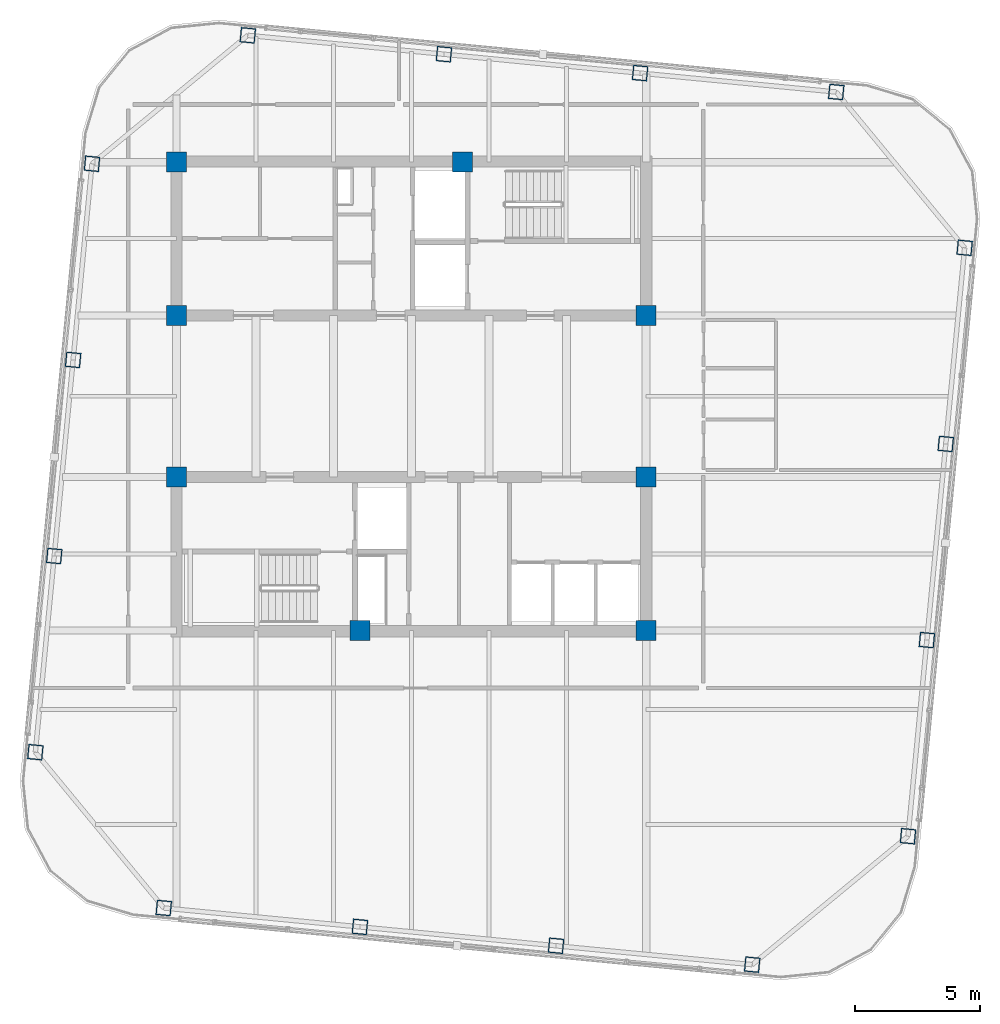
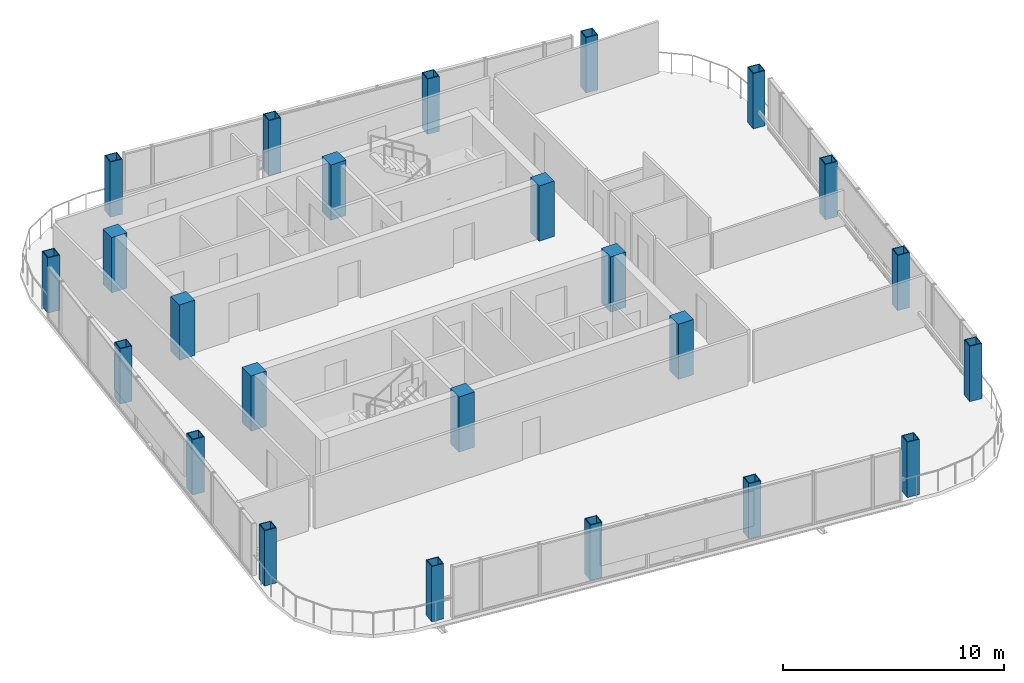
# One storey, part 1 of 26: 24 columns.
"""IFC4 building model written with IfcOpenShell, lengths in metres."""

import ifcopenshell
import ifcopenshell.guid

model = None  # the IFC model being written
_history = None  # IfcOwnerHistory: only IFC2X3 demands one
_inside = {}  # id of a spatial element -> (the spatial element, [elements in it])
_under = {}  # id of a project, library or spatial element -> (it, [spatial elements below it])
_declared = {}  # id of a project -> (the project, [libraries it declares])
_typed = {}  # id of a type object -> (the type object, [elements of that type])
_made_of = {}  # id of a material, layer set ... -> (it, [elements and type objects made of it])


def new_model(schema):
    """Start an empty IFC model of exactly this schema.

    Asked for "IFC4X3", IfcOpenShell would pick the latest addendum, in which some entities
    have other attributes; the version numbers below select the first issue.
    IFC2X3 requires an IfcOwnerHistory on every rooted entity: one is made here for all.
    """
    global model, _history
    if schema == "IFC4X3":
        model = ifcopenshell.file(schema_version=(4, 3, 0, 0))
    else:
        model = ifcopenshell.file(schema=schema)
    _inside.clear()
    _under.clear()
    _declared.clear()
    _typed.clear()
    _made_of.clear()
    _history = None
    if model.schema == "IFC2X3":
        org = make("IfcOrganization", Name="unknown")
        user = make(
            "IfcPersonAndOrganization",
            ThePerson=make("IfcPerson", FamilyName="unknown"),
            TheOrganization=org,
        )
        app = make(
            "IfcApplication",
            ApplicationDeveloper=org,
            Version="unknown",
            ApplicationFullName="unknown",
            ApplicationIdentifier="unknown",
        )
        _history = make(
            "IfcOwnerHistory",
            OwningUser=user,
            OwningApplication=app,
            ChangeAction="ADDED",
            CreationDate=0,
        )
    return model


def make(cls, **values):
    """One entity of the class cls with the attributes given. An attribute that is None is left unset."""
    return model.create_entity(
        cls, **{name: value for name, value in values.items() if value is not None}
    )


def rooted(cls, **values):
    """An entity with a GlobalId (a new one), such as an element, a storey or a relation."""
    return make(cls, GlobalId=ifcopenshell.guid.new(), OwnerHistory=_history, **values)


def si_unit(unit_type, name, prefix=None):
    """IfcSIUnit, for example si_unit("LENGTHUNIT", "METRE", prefix="MILLI")."""
    return make("IfcSIUnit", UnitType=unit_type, Prefix=prefix, Name=name)


def assignment(units):
    """IfcUnitAssignment: the units of a project."""
    return None if units is None else make("IfcUnitAssignment", Units=units)


def point(xyz):
    """IfcCartesianPoint."""
    return None if xyz is None else make("IfcCartesianPoint", Coordinates=xyz)


def direction(xyz):
    """IfcDirection."""
    return None if xyz is None else make("IfcDirection", DirectionRatios=xyz)


def frame(location, z_axis=None, x_axis=None):
    """IfcAxis2Placement3D, a coordinate frame: its origin and axes. An axis left out is left unset."""
    return make(
        "IfcAxis2Placement3D",
        Location=point(location),
        Axis=direction(z_axis),
        RefDirection=direction(x_axis),
    )


def frame_2d(location, x_axis=None):
    """IfcAxis2Placement2D, a coordinate frame in the plane: its origin and x axis."""
    return make(
        "IfcAxis2Placement2D", Location=point(location), RefDirection=direction(x_axis)
    )


def origin():
    """The frame at (0, 0, 0) with its axes left unset."""
    return frame((0.0, 0.0, 0.0))


def origin_2d():
    """The frame at (0, 0) in the plane with its x axis left unset."""
    return frame_2d((0.0, 0.0))


def place(relative_to, where):
    """IfcLocalPlacement: puts the frame where relative to a parent placement (None: the world)."""
    return make(
        "IfcLocalPlacement", PlacementRelTo=relative_to, RelativePlacement=where
    )


def context(
    kind, dimensions, precision=None, world=None, true_north=None, identifier=None
):
    """IfcGeometricRepresentationContext, for example the 3D "Model" context."""
    return make(
        "IfcGeometricRepresentationContext",
        ContextIdentifier=identifier,
        ContextType=kind,
        CoordinateSpaceDimension=dimensions,
        Precision=precision,
        WorldCoordinateSystem=world,
        TrueNorth=true_north,
    )


def subcontext(parent, identifier, kind, view, scale=None):
    """IfcGeometricRepresentationSubContext, for example "Body" below "Model"."""
    return make(
        "IfcGeometricRepresentationSubContext",
        ContextIdentifier=identifier,
        ContextType=kind,
        ParentContext=parent,
        TargetScale=scale,
        TargetView=view,
    )


def project(units=None, contexts=None):
    """IfcProject with its units and contexts."""
    return rooted(
        "IfcProject",
        Name="project",
        RepresentationContexts=contexts,
        UnitsInContext=assignment(units),
    )


def spatial(cls, under=None, at=None, **own):
    """A site, building, storey or space (cls), placed at a placement, below another one or the project."""
    s = rooted(cls, ObjectPlacement=at, **own)
    if under is not None:
        _under.setdefault(under.id(), (under, []))[1].append(s)
    return s


def profile(cls, at=None, kind="AREA", **sizes):
    """A parametric profile (cls). Its sizes go by their IFC names, for example OverallWidth=200.0."""
    return make(cls, ProfileType=kind, Position=at, **sizes)


def rectangle(**sizes):
    """IfcRectangleProfileDef."""
    return profile("IfcRectangleProfileDef", **sizes)


def hollow_rectangle(**sizes):
    """IfcRectangleHollowProfileDef."""
    return profile("IfcRectangleHollowProfileDef", **sizes)


def extrude(swept, where, along, depth):
    """IfcExtrudedAreaSolid: the profile swept, set in the frame where, extruded along a direction by depth."""
    return make(
        "IfcExtrudedAreaSolid",
        SweptArea=swept,
        Position=where,
        ExtrudedDirection=direction(along),
        Depth=depth,
    )


def shape(context_of_items, identifier, shape_type, items):
    """IfcShapeRepresentation: the items that make up one representation, for example the "Body"."""
    return make(
        "IfcShapeRepresentation",
        ContextOfItems=context_of_items,
        RepresentationIdentifier=identifier,
        RepresentationType=shape_type,
        Items=items,
    )


def material(Name=None, Category=None):
    """IfcMaterial."""
    return make("IfcMaterial", Name=Name, Category=Category)


def material_profile(
    of_material, cross_section, Name=None, Category=None, Priority=None
):
    """IfcMaterialProfile: a cross section and its material."""
    return make(
        "IfcMaterialProfile",
        Name=Name,
        Material=of_material,
        Profile=cross_section,
        Priority=Priority,
        Category=Category,
    )


def profile_set(profiles, Name=None, composite=None):
    """IfcMaterialProfileSet."""
    return make(
        "IfcMaterialProfileSet",
        Name=Name,
        MaterialProfiles=profiles,
        CompositeProfile=composite,
    )


def made_of(thing, what):
    """Note that an element or type object is made of a material, layer set ...; save() writes the relation."""
    if what is not None:
        _made_of.setdefault(what.id(), (what, []))[1].append(thing)
    return thing


def type_object(cls, material=None, **own):
    """A type object (cls), such as IfcWallType, which elements share."""
    return made_of(rooted(cls, **own), material)


def element(
    cls,
    number,
    at=None,
    inside=None,
    cuts=None,
    type_object=None,
    material=None,
    context=None,
    identifier="Body",
    shape_type=None,
    held_by="IfcProductDefinitionShape",
    body=None,
    shapes=None,
    **own,
):
    """One element of the class cls, such as IfcWall. Its Tag is "e" and its number.

    at: its placement. inside: the storey or other place that contains it. cuts: it is an
    opening in that element (IfcRelVoidsElement). A single representation is given by context,
    identifier, shape_type and body (its items); several are given by shapes. held_by: the class
    of the entity that holds the representations. save() writes the other relations.
    """
    e = rooted(cls, Tag="e%d" % number, ObjectPlacement=at, **own)
    if body is not None:
        shapes = [shape(context, identifier, shape_type, body)]
    if shapes is not None:
        e.Representation = make(held_by, Representations=shapes)
    if inside is not None:
        _inside.setdefault(inside.id(), (inside, []))[1].append(e)
    if cuts is not None:
        rooted(
            "IfcRelVoidsElement", RelatingBuildingElement=cuts, RelatedOpeningElement=e
        )
    if type_object is not None:
        _typed.setdefault(type_object.id(), (type_object, []))[1].append(e)
    return made_of(e, material)


def aggregate(whole, parts):
    """IfcRelAggregates: a whole, such as a stair, and the parts it consists of."""
    return rooted("IfcRelAggregates", RelatingObject=whole, RelatedObjects=parts)


def save(model, path):
    """Write the relations noted so far, then the file.

    IfcRelAggregates (storeys below a building ...), IfcRelContainedInSpatialStructure (elements
    in a storey), IfcRelDefinesByType, IfcRelAssociatesMaterial and IfcRelDeclares: one each for
    every whole, place, type object, material and project.
    """
    for whole, parts in _under.values():
        aggregate(whole, parts)
    for where, things in _inside.values():
        rooted(
            "IfcRelContainedInSpatialStructure",
            RelatedElements=things,
            RelatingStructure=where,
        )
    for kind, things in _typed.values():
        rooted("IfcRelDefinesByType", RelatedObjects=things, RelatingType=kind)
    for what, things in _made_of.values():
        rooted("IfcRelAssociatesMaterial", RelatedObjects=things, RelatingMaterial=what)
    for by, libraries in _declared.values():
        rooted("IfcRelDeclares", RelatingContext=by, RelatedDefinitions=libraries)
    model.write(path)


model = new_model("IFC4")

# Units and contexts
model_context = context("Model", 3, precision=1e-05, world=origin(), true_north=direction((0.0, 1.0)))
body_context = subcontext(model_context, "Body", "Model", "MODEL_VIEW")
ifc_project = project(units=[si_unit("LENGTHUNIT", "METRE"), si_unit("AREAUNIT", "SQUARE_METRE"), si_unit("VOLUMEUNIT", "CUBIC_METRE"), si_unit("PLANEANGLEUNIT", "RADIAN"), si_unit("MASSUNIT", "GRAM", prefix="KILO")], contexts=[model_context])

# Site, building, storey
site_placement = place(None, origin())
site = spatial("IfcSite", under=ifc_project, at=site_placement, CompositionType="ELEMENT")
building_placement = place(site_placement, origin())
building = spatial("IfcBuilding", under=site, at=building_placement, Name="Qhalaya Broadcast Tower", CompositionType="ELEMENT")
storey_placement = place(building_placement, frame((0.0, 0.0, 248.949951171875)))
storey = spatial("IfcBuildingStorey", under=building, at=storey_placement, Name="L73", CompositionType="ELEMENT", Elevation=248.949951171875)

# Columns
ifc_material_1 = material(Name="Concrete C50/60", Category="concrete")
ifc_material_profile_1 = material_profile(ifc_material_1, rectangle(XDim=0.800048828125, YDim=0.800048828125, at=origin_2d()), Name="RC-COL 800x800")
ifc_profile_set_1 = profile_set([ifc_material_profile_1], Name="Concrete C50/60")
column_type_1 = type_object("IfcColumnType", Name="RC Upper Column C10", PredefinedType="COLUMN", material=ifc_profile_set_1)
for number, where, z_axis, x_axis, name in (
    (1, (-9.375, 9.949951171875, 0.0), (0.0, 0.0, 1.0), (1.0, 0.0, 0.0), "L73 Column COL-CC1"),
    (2, (2.050048828125, 9.949951171875, 0.0), (0.0, 0.0, 1.0), (1.0, 0.0, 0.0), "L73 Column COL-CC2"),
    (3, (-9.375, 3.824951171875, 0.0), (0.0, 0.0, 1.0), (1.0, 0.0, 0.0), "L73 Column COL-CC3"),
    (4, (9.375, 3.824951171875, 0.0), (0.0, 0.0, 1.0), (1.0, 0.0, 0.0), "L73 Column COL-CC4"),
    (5, (-9.375, -2.625, 0.0), (0.0, 0.0, 1.0), (1.0, 0.0, 0.0), "L73 Column COL-CC5"),
    (6, (9.375, -2.625, 0.0), (0.0, 0.0, 1.0), (1.0, 0.0, 0.0), "L73 Column COL-CC6"),
    (7, (-2.050048828125, -8.75, 0.0), (0.0, 0.0, 1.0), (1.0, 0.0, 0.0), "L73 Column COL-CC7"),
    (8, (9.375, -8.75, 0.0), (0.0, 0.0, 1.0), (1.0, 0.0, 0.0), "L73 Column COL-CC8"),
):
    element("IfcColumn", number, at=place(storey_placement, frame(where, z_axis=z_axis, x_axis=x_axis)), inside=storey, type_object=column_type_1, Name=name, PredefinedType="COLUMN", context=body_context, shape_type="SweptSolid", body=[
        extrude(rectangle(XDim=0.800048828125, YDim=0.800048828125, at=origin_2d()), origin(), (0.0, 0.0, 1.0), 3.050048828125),
    ])
ifc_material_2 = material(Name="Structural Steel ASTM A572 Grade 50", Category="steel")
ifc_material_profile_2 = material_profile(ifc_material_2, hollow_rectangle(XDim=0.60009765625, YDim=0.60009765625, WallThickness=0.0400390625, at=origin_2d()), Name="BOX 600x600x40")
ifc_profile_set_2 = profile_set([ifc_material_profile_2], Name="Structural Steel ASTM A572 Grade 50")
column_type_2 = type_object("IfcColumnType", Name="Steel Box Column C05", PredefinedType="COLUMN", material=ifc_profile_set_2)
for number, where, z_axis, x_axis, name in (
    (9, (-9.883056640625, -19.82861328125, 0.0), (0.0, 0.0, 1.0), (0.995396198367, -0.09584575252, 0.0), "L73 Column COL-EX01"),
    (10, (-2.052490234375, -20.58251953125, 0.0), (0.0, 0.0, 1.0), (0.995396198367, -0.09584575252, 0.0), "L73 Column COL-EX02"),
    (11, (5.77783203125, -21.33642578125, 0.0), (0.0, 0.0, 1.0), (0.995396198367, -0.09584575252, 0.0), "L73 Column COL-EX03"),
    (12, (13.6083984375, -22.09033203125, 0.0), (0.0, 0.0, 1.0), (0.995396198367, -0.09584575252, 0.0), "L73 Column COL-EX04"),
    (13, (19.82861328125, -16.962890625, 0.0), (0.0, 0.0, 1.0), (0.09584575252, 0.995396198367, 0.0), "L73 Column COL-EX05"),
    (14, (20.58251953125, -9.132568359375, 0.0), (0.0, 0.0, 1.0), (0.09584575252, 0.995396198367, 0.0), "L73 Column COL-EX06"),
    (15, (21.33642578125, -1.302001953125, 0.0), (0.0, 0.0, 1.0), (0.09584575252, 0.995396198367, 0.0), "L73 Column COL-EX07"),
    (16, (22.09033203125, 6.5283203125, 0.0), (0.0, 0.0, 1.0), (0.09584575252, 0.995396198367, 0.0), "L73 Column COL-EX08"),
    (17, (16.962890625, 12.74853515625, 0.0), (0.0, 0.0, 1.0), (0.995396198367, -0.09584575252, 0.0), "L73 Column COL-EX09"),
    (18, (9.132568359375, 13.50244140625, 0.0), (0.0, 0.0, 1.0), (0.995396198367, -0.09584575252, 0.0), "L73 Column COL-EX10"),
    (19, (1.302001953125, 14.25634765625, 0.0), (0.0, 0.0, 1.0), (0.995396198367, -0.09584575252, 0.0), "L73 Column COL-EX11"),
    (20, (-6.5283203125, 15.010498046875, 0.0), (0.0, 0.0, 1.0), (0.995396198367, -0.09584575252, 0.0), "L73 Column COL-EX12"),
    (21, (-12.74853515625, 9.883056640625, 0.0), (0.0, 0.0, 1.0), (0.09584575252, 0.995396198367, 0.0), "L73 Column COL-EX13"),
    (22, (-13.50244140625, 2.052490234375, 0.0), (0.0, 0.0, 1.0), (0.09584575252, 0.995396198367, 0.0), "L73 Column COL-EX14"),
    (23, (-14.25634765625, -5.77783203125, 0.0), (0.0, 0.0, 1.0), (0.09584575252, 0.995396198367, 0.0), "L73 Column COL-EX15"),
    (24, (-15.010498046875, -13.6083984375, 0.0), (0.0, 0.0, 1.0), (0.09584575252, 0.995396198367, 0.0), "L73 Column COL-EX16"),
):
    element("IfcColumn", number, at=place(storey_placement, frame(where, z_axis=z_axis, x_axis=x_axis)), inside=storey, type_object=column_type_2, Name=name, PredefinedType="COLUMN", context=body_context, shape_type="SweptSolid", body=[
        extrude(hollow_rectangle(XDim=0.60009765625, YDim=0.60009765625, WallThickness=0.0400390625, at=origin_2d()), origin(), (0.0, 0.0, 1.0), 3.050048828125),
    ])

save(model, "model.ifc")
